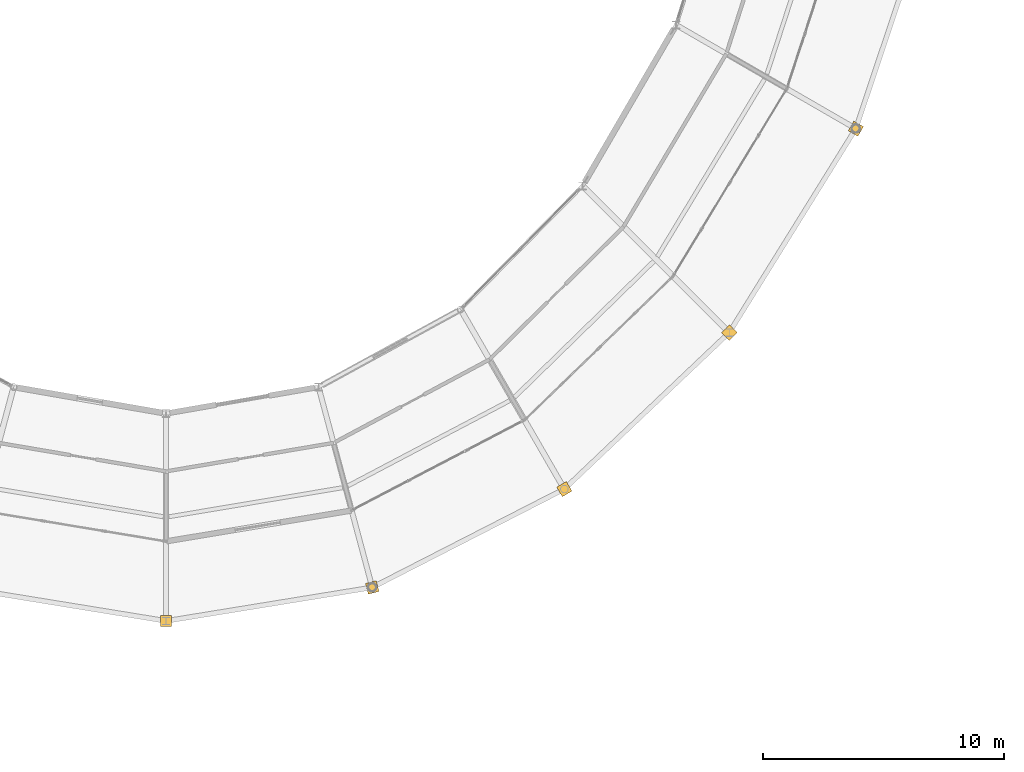
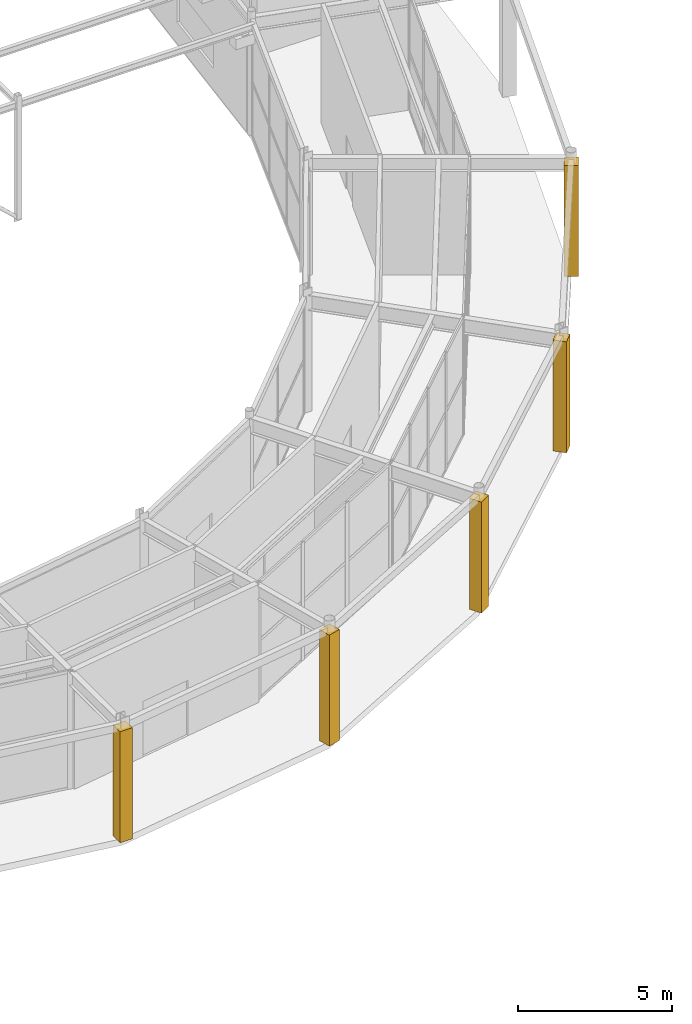
# One storey, part 137 of 144: 5 coverings.
"""IFC4 building model written with IfcOpenShell, lengths in metres."""

from ifc_helpers import new_model, si_unit, direction, frame, origin, origin_2d, place, context, subcontext, project, spatial, rectangle, extrude, material, layer, layer_set, type_object, element, save


model = new_model("IFC4")

# Units and contexts
model_context = context("Model", 3, precision=1e-05, world=origin(), true_north=direction((0.0, 1.0)))
body_context = subcontext(model_context, "Body", "Model", "MODEL_VIEW")
ifc_project = project(units=[si_unit("LENGTHUNIT", "METRE"), si_unit("AREAUNIT", "SQUARE_METRE"), si_unit("VOLUMEUNIT", "CUBIC_METRE"), si_unit("PLANEANGLEUNIT", "RADIAN"), si_unit("MASSUNIT", "GRAM", prefix="KILO")], contexts=[model_context])

# Site, building, storey
site_placement = place(None, origin())
site = spatial("IfcSite", under=ifc_project, at=site_placement, CompositionType="ELEMENT")
building_placement = place(site_placement, origin())
building = spatial("IfcBuilding", under=site, at=building_placement, Name="Karori Crest Natural Sciences Institute", CompositionType="ELEMENT")
storey_placement = place(building_placement, origin())
storey = spatial("IfcBuildingStorey", under=building, at=storey_placement, Name="L00", CompositionType="ELEMENT", Elevation=0.0)

# Coverings
ifc_material = material(Name="Glulam GL10 architectural column casing", Category="wood")
ifc_layer = layer(ifc_material, 0.044921875, Name="Glulam GL10 architectural column casing")
ifc_layer_set = layer_set([ifc_layer], Name="Glulam GL10 architectural column casing")
covering_type = type_object("IfcCoveringType", Name="CVT-GL10", PredefinedType="CLADDING", material=ifc_layer_set)
for number, where, z_axis, x_axis, name in (
    (1, (66.39990234375, 9.10009765625, 0.050048828125), (0.0, 0.0, 1.0), (0.0, -1.0, 0.0), "Glulam GL10 column casing CL-0019"),
    (2, (74.94091796875, 10.490234375, 0.050048828125), (0.0, 0.0, 1.0), (0.258819045103, -0.965925826289, 0.0), "Glulam GL10 column casing CL-0020"),
    (3, (82.89990234375, 14.566162109375, 0.050048828125), (0.0, 0.0, 1.0), (0.5, -0.866025403784, 0.0), "Glulam GL10 column casing CL-0021"),
    (4, (89.734619140625, 21.050048828125, 0.050048828125), (0.0, 0.0, 1.0), (0.707106781187, -0.707106781187, 0.0), "Glulam GL10 column casing CL-0022"),
    (5, (94.978759765625, 29.5, 0.050048828125), (0.0, 0.0, 1.0), (0.866025403784, -0.5, 0.0), "Glulam GL10 column casing CL-0023"),
):
    element("IfcCovering", number, at=place(storey_placement, frame(where, z_axis=z_axis, x_axis=x_axis)), inside=storey, type_object=covering_type, Name=name, PredefinedType="CLADDING", context=body_context, shape_type="SweptSolid", body=[
        extrude(rectangle(XDim=0.4599609375, YDim=0.4599609375, at=origin_2d()), origin(), (0.0, 0.0, 1.0), 4.39990234375),
    ])

save(model, "model.ifc")
